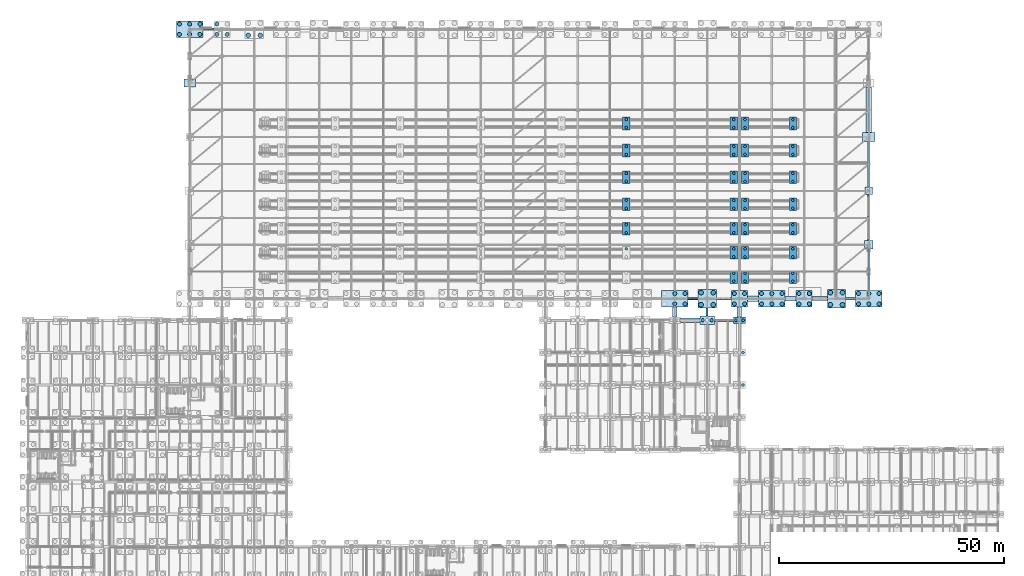
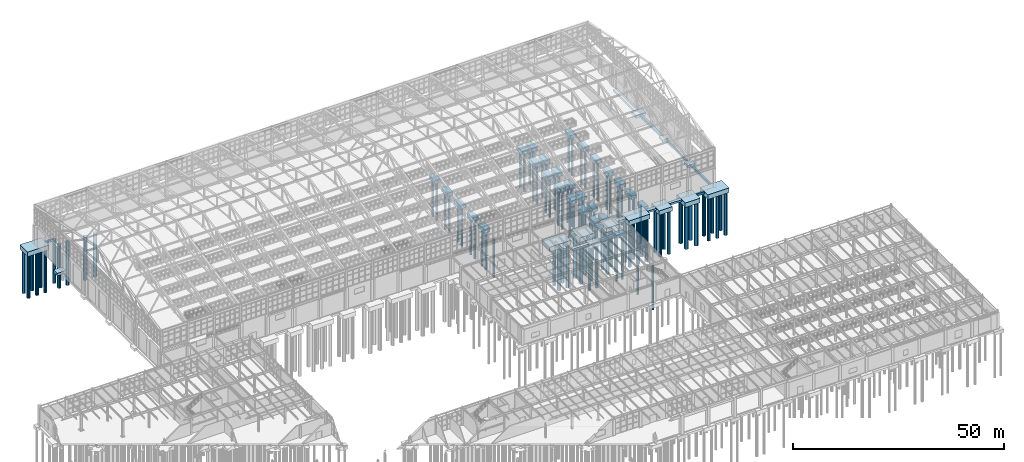
# One storey, part 13 of 293: 102 piles, 56 footings.
"""IFC4 building model written with IfcOpenShell, lengths in metres."""

from ifc_helpers import new_model, si_unit, direction, frame, origin, origin_2d, place, context, subcontext, project, spatial, rectangle, circle, extrude, material, material_profile, profile_set, type_object, element, save


model = new_model("IFC4")

# Units and contexts
model_context = context("Model", 3, precision=1e-05, world=origin(), true_north=direction((0.0, 1.0)))
body_context = subcontext(model_context, "Body", "Model", "MODEL_VIEW")
ifc_project = project(units=[si_unit("LENGTHUNIT", "METRE"), si_unit("AREAUNIT", "SQUARE_METRE"), si_unit("VOLUMEUNIT", "CUBIC_METRE"), si_unit("PLANEANGLEUNIT", "RADIAN"), si_unit("MASSUNIT", "GRAM", prefix="KILO")], contexts=[model_context])

# Site, building, storey
site_placement = place(None, origin())
site = spatial("IfcSite", under=ifc_project, at=site_placement, CompositionType="ELEMENT")
building_placement = place(site_placement, origin())
building = spatial("IfcBuilding", under=site, at=building_placement, Name="Kemerveld Promenade Tramway Depot", CompositionType="ELEMENT")
storey_placement = place(building_placement, origin())
storey = spatial("IfcBuildingStorey", under=building, at=storey_placement, Name="L00", CompositionType="ELEMENT", Elevation=0.0)

# Footings
ifc_material = material(Name="Concrete C35/45", Category="concrete")
footing_type_1 = type_object("IfcFootingType", Name="FT-GB01", PredefinedType="FOOTING_BEAM", material=ifc_material)
footing_1_placement = place(storey_placement, frame((154.949951171875, 79.199951171875, -0.949951171875), z_axis=(0.0, 0.0, 1.0), x_axis=(1.0, 0.0, 0.0)))
element("IfcFooting", 1, at=footing_1_placement, inside=storey, type_object=footing_type_1, Name="GBX-22-23-M", PredefinedType="FOOTING_BEAM", context=body_context, shape_type="SweptSolid", body=[
    extrude(rectangle(XDim=4.300048828125, YDim=0.5, at=origin_2d()), origin(), (0.0, 0.0, 1.0), 0.64990234375),
])
footing_2_placement = place(storey_placement, frame((183.16259765625, 84.0, -0.949951171875), z_axis=(0.0, 0.0, 1.0), x_axis=(1.0, 0.0, 0.0)))
element("IfcFooting", 2, at=footing_2_placement, inside=storey, type_object=footing_type_1, Name="GBX-26-27-N", PredefinedType="FOOTING_BEAM", context=body_context, shape_type="SweptSolid", body=[
    extrude(rectangle(XDim=2.22509765625, YDim=0.5, at=origin_2d()), origin(), (0.0, 0.0, 1.0), 0.64990234375),
])
footing_3_placement = place(storey_placement, frame((151.199951171875, 81.02490234375, -0.949951171875), z_axis=(0.0, 0.0, 1.0), x_axis=(0.0, 1.0, 0.0)))
element("IfcFooting", 3, at=footing_3_placement, inside=storey, type_object=footing_type_1, Name="GBY-22-M-N", PredefinedType="FOOTING_BEAM", context=body_context, shape_type="SweptSolid", body=[
    extrude(rectangle(XDim=1.85009765625, YDim=0.5, at=origin_2d()), origin(), (0.0, 0.0, 1.0), 0.64990234375),
])
footing_type_2 = type_object("IfcFootingType", Name="FT-GB02", PredefinedType="FOOTING_BEAM", material=ifc_material)
footing_4_placement = place(storey_placement, frame((40.16259765625, 144.0, -0.900146484375), z_axis=(0.0, 0.0, 1.0), x_axis=(1.0, 0.0, 0.0)))
element("IfcFooting", 4, at=footing_4_placement, inside=storey, type_object=footing_type_2, Name="GBX-06-07-U", PredefinedType="FOOTING_BEAM", context=body_context, shape_type="SweptSolid", body=[
    extrude(rectangle(XDim=2.47509765625, YDim=0.449951171875, at=origin_2d()), origin(), (0.0, 0.0, 1.0), 0.60009765625),
])
footing_5_placement = place(storey_placement, frame((187.199951171875, 90.425048828125, -0.900146484375), z_axis=(0.0, 0.0, 1.0), x_axis=(0.0, 1.0, 0.0)))
element("IfcFooting", 5, at=footing_5_placement, inside=storey, type_object=footing_type_2, Name="GBY-27-N-P", PredefinedType="FOOTING_BEAM", context=body_context, shape_type="SweptSolid", body=[
    extrude(rectangle(XDim=9.25, YDim=0.449951171875, at=origin_2d()), origin(), (0.0, 0.0, 1.0), 0.60009765625),
])
footing_type_3 = type_object("IfcFootingType", Name="FT-GB03", PredefinedType="FOOTING_BEAM", material=ifc_material)
footing_6_placement = place(storey_placement, frame((148.03759765625, 84.0, -0.85009765625), z_axis=(0.0, 0.0, 1.0), x_axis=(1.0, 0.0, 0.0)))
element("IfcFooting", 6, at=footing_6_placement, inside=storey, type_object=footing_type_3, Name="GBX-21-22-N", PredefinedType="FOOTING_BEAM", context=body_context, shape_type="SweptSolid", body=[
    extrude(rectangle(XDim=2.22509765625, YDim=0.39990234375, at=origin_2d()), origin(), (0.0, 0.0, 1.0), 0.550048828125),
])
footing_7_placement = place(storey_placement, frame((187.199951171875, 102.050048828125, -0.85009765625), z_axis=(0.0, 0.0, 1.0), x_axis=(0.0, 1.0, 0.0)))
element("IfcFooting", 7, at=footing_7_placement, inside=storey, type_object=footing_type_3, Name="GBY-27-P-Q", PredefinedType="FOOTING_BEAM", context=body_context, shape_type="SweptSolid", body=[
    extrude(rectangle(XDim=10.199951171875, YDim=0.39990234375, at=origin_2d()), origin(), (0.0, 0.0, 1.0), 0.550048828125),
])
footing_type_4 = type_object("IfcFootingType", Name="FT-GB04", PredefinedType="FOOTING_BEAM", material=ifc_material)
footing_8_placement = place(storey_placement, frame((154.925048828125, 84.0, -1.0), z_axis=(0.0, 0.0, 1.0), x_axis=(1.0, 0.0, 0.0)))
element("IfcFooting", 8, at=footing_8_placement, inside=storey, type_object=footing_type_4, Name="GBX-22-23-N", PredefinedType="FOOTING_BEAM", context=body_context, shape_type="SweptSolid", body=[
    extrude(rectangle(XDim=3.35009765625, YDim=0.550048828125, at=origin_2d()), origin(), (0.0, 0.0, 1.0), 0.699951171875),
])
footing_9_placement = place(storey_placement, frame((187.199951171875, 113.925048828125, -1.0), z_axis=(0.0, 0.0, 1.0), x_axis=(0.0, 1.0, 0.0)))
element("IfcFooting", 9, at=footing_9_placement, inside=storey, type_object=footing_type_4, Name="GBY-27-Q-R", PredefinedType="FOOTING_BEAM", context=body_context, shape_type="SweptSolid", body=[
    extrude(rectangle(XDim=10.14990234375, YDim=0.550048828125, at=origin_2d()), origin(), (0.0, 0.0, 1.0), 0.699951171875),
])
footing_type_5 = type_object("IfcFootingType", Name="FT-PC01", PredefinedType="PILE_CAP", material=ifc_material)
for number, where, z_axis, x_axis, name in (
    (10, (151.199951171875, 84.0, -1.60009765625), (0.0, 0.0, 1.0), (1.0, 0.0, 0.0), "FT-22-N"),
    (11, (180.0, 84.0, -1.60009765625), (0.0, 0.0, 1.0), (1.0, 0.0, 0.0), "FT-26-N"),
):
    element("IfcFooting", number, at=place(storey_placement, frame(where, z_axis=z_axis, x_axis=x_axis)), inside=storey, type_object=footing_type_5, Name=name, PredefinedType="PILE_CAP", context=body_context, shape_type="SweptSolid", body=[
        extrude(rectangle(XDim=4.10009765625, YDim=4.10009765625, at=origin_2d()), origin(), (0.0, 0.0, 1.0), 1.300048828125),
    ])
footing_type_6 = type_object("IfcFootingType", Name="FT-PC02", PredefinedType="PILE_CAP", material=ifc_material)
for number, where, z_axis, x_axis, name in (
    (12, (158.39990234375, 84.0, -1.550048828125), (0.0, 0.0, 1.0), (1.0, 0.0, 0.0), "FT-23-N"),
    (13, (172.800048828125, 84.0, -1.550048828125), (0.0, 0.0, 1.0), (1.0, 0.0, 0.0), "FT-25-N"),
):
    element("IfcFooting", number, at=place(storey_placement, frame(where, z_axis=z_axis, x_axis=x_axis)), inside=storey, type_object=footing_type_6, Name=name, PredefinedType="PILE_CAP", context=body_context, shape_type="SweptSolid", body=[
        extrude(rectangle(XDim=3.60009765625, YDim=3.60009765625, at=origin_2d()), origin(), (0.0, 0.0, 1.0), 1.25),
    ])
footing_type_7 = type_object("IfcFootingType", Name="FT-PC06", PredefinedType="PILE_CAP", material=ifc_material)
footing_10_placement = place(storey_placement, frame((151.199951171875, 79.199951171875, -1.400146484375), z_axis=(0.0, 0.0, 1.0), x_axis=(1.0, 0.0, 0.0)))
element("IfcFooting", 14, at=footing_10_placement, inside=storey, type_object=footing_type_7, Name="FT-22-M", PredefinedType="PILE_CAP", context=body_context, shape_type="SweptSolid", body=[
    extrude(rectangle(XDim=3.199951171875, YDim=1.800048828125, at=origin_2d()), origin(), (0.0, 0.0, 1.0), 1.10009765625),
])
footing_type_8 = type_object("IfcFootingType", Name="FT-PC07", PredefinedType="PILE_CAP", material=ifc_material)
for number, where, z_axis, x_axis, name in (
    (15, (157.14990234375, 88.800048828125, -3.0), (0.0, 0.0, 1.0), (1.0, 0.0, 0.0), "FT-PIT-01-08"),
    (16, (159.64990234375, 88.800048828125, -3.0), (0.0, 0.0, 1.0), (1.0, 0.0, 0.0), "FT-PIT-01-09"),
    (17, (170.300048828125, 88.800048828125, -3.0), (0.0, 0.0, 1.0), (1.0, 0.0, 0.0), "FT-PIT-01-10"),
    (18, (157.14990234375, 94.199951171875, -3.0), (0.0, 0.0, 1.0), (1.0, 0.0, 0.0), "FT-PIT-02-08"),
    (19, (159.64990234375, 94.199951171875, -3.0), (0.0, 0.0, 1.0), (1.0, 0.0, 0.0), "FT-PIT-02-09"),
    (20, (170.300048828125, 94.199951171875, -3.0), (0.0, 0.0, 1.0), (1.0, 0.0, 0.0), "FT-PIT-02-10"),
    (21, (133.199951171875, 99.60009765625, -3.0), (0.0, 0.0, 1.0), (1.0, 0.0, 0.0), "FT-PIT-03-07"),
    (22, (157.14990234375, 99.60009765625, -3.0), (0.0, 0.0, 1.0), (1.0, 0.0, 0.0), "FT-PIT-03-08"),
    (23, (159.64990234375, 99.60009765625, -3.0), (0.0, 0.0, 1.0), (1.0, 0.0, 0.0), "FT-PIT-03-09"),
    (24, (170.300048828125, 99.60009765625, -3.0), (0.0, 0.0, 1.0), (1.0, 0.0, 0.0), "FT-PIT-03-10"),
    (25, (133.199951171875, 105.0, -3.0), (0.0, 0.0, 1.0), (1.0, 0.0, 0.0), "FT-PIT-04-07"),
    (26, (157.14990234375, 105.0, -3.0), (0.0, 0.0, 1.0), (1.0, 0.0, 0.0), "FT-PIT-04-08"),
    (27, (159.64990234375, 105.0, -3.0), (0.0, 0.0, 1.0), (1.0, 0.0, 0.0), "FT-PIT-04-09"),
    (28, (170.300048828125, 105.0, -3.0), (0.0, 0.0, 1.0), (1.0, 0.0, 0.0), "FT-PIT-04-10"),
    (29, (133.199951171875, 111.0, -3.0), (0.0, 0.0, 1.0), (1.0, 0.0, 0.0), "FT-PIT-05-07"),
    (30, (157.14990234375, 111.0, -3.0), (0.0, 0.0, 1.0), (1.0, 0.0, 0.0), "FT-PIT-05-08"),
    (31, (159.64990234375, 111.0, -3.0), (0.0, 0.0, 1.0), (1.0, 0.0, 0.0), "FT-PIT-05-09"),
    (32, (170.300048828125, 111.0, -3.0), (0.0, 0.0, 1.0), (1.0, 0.0, 0.0), "FT-PIT-05-10"),
    (33, (133.199951171875, 117.0, -3.0), (0.0, 0.0, 1.0), (1.0, 0.0, 0.0), "FT-PIT-06-07"),
    (34, (157.14990234375, 117.0, -3.0), (0.0, 0.0, 1.0), (1.0, 0.0, 0.0), "FT-PIT-06-08"),
    (35, (159.64990234375, 117.0, -3.0), (0.0, 0.0, 1.0), (1.0, 0.0, 0.0), "FT-PIT-06-09"),
    (36, (170.300048828125, 117.0, -3.0), (0.0, 0.0, 1.0), (1.0, 0.0, 0.0), "FT-PIT-06-10"),
    (37, (133.199951171875, 123.0, -3.0), (0.0, 0.0, 1.0), (1.0, 0.0, 0.0), "FT-PIT-07-07"),
    (38, (157.14990234375, 123.0, -3.0), (0.0, 0.0, 1.0), (1.0, 0.0, 0.0), "FT-PIT-07-08"),
    (39, (159.64990234375, 123.0, -3.0), (0.0, 0.0, 1.0), (1.0, 0.0, 0.0), "FT-PIT-07-09"),
    (40, (170.300048828125, 123.0, -3.0), (0.0, 0.0, 1.0), (1.0, 0.0, 0.0), "FT-PIT-07-10"),
):
    element("IfcFooting", number, at=place(storey_placement, frame(where, z_axis=z_axis, x_axis=x_axis)), inside=storey, type_object=footing_type_8, Name=name, PredefinedType="PILE_CAP", context=body_context, shape_type="SweptSolid", body=[
        extrude(rectangle(XDim=1.60009765625, YDim=2.800048828125, at=origin_2d()), origin(), (0.0, 0.0, 1.0), 1.050048828125),
    ])
footing_type_9 = type_object("IfcFootingType", Name="FT-PC08", PredefinedType="PILE_CAP", material=ifc_material)
footing_11_placement = place(storey_placement, frame((158.39990234375, 79.199951171875, -1.300048828125), z_axis=(0.0, 0.0, 1.0), x_axis=(1.0, 0.0, 0.0)))
element("IfcFooting", 41, at=footing_11_placement, inside=storey, type_object=footing_type_9, Name="FT-23-M", PredefinedType="PILE_CAP", context=body_context, shape_type="SweptSolid", body=[
    extrude(rectangle(XDim=2.60009765625, YDim=1.5, at=origin_2d()), origin(), (0.0, 0.0, 1.0), 1.0),
])
footing_type_10 = type_object("IfcFootingType", Name="FT-PC09", PredefinedType="PILE_CAP", material=ifc_material)
for number, where, z_axis, x_axis, name in (
    (42, (36.0, 144.0, -1.650146484375), (0.0, 0.0, 1.0), (1.0, 0.0, 0.0), "FT-06-U"),
    (43, (144.0, 84.0, -1.650146484375), (0.0, 0.0, 1.0), (1.0, 0.0, 0.0), "FT-21-N"),
    (44, (165.60009765625, 84.0, -1.650146484375), (0.0, 0.0, 1.0), (1.0, 0.0, 0.0), "FT-24-N"),
    (45, (187.199951171875, 84.0, -1.650146484375), (0.0, 0.0, 1.0), (1.0, 0.0, 0.0), "FT-27-N"),
):
    element("IfcFooting", number, at=place(storey_placement, frame(where, z_axis=z_axis, x_axis=x_axis)), inside=storey, type_object=footing_type_10, Name=name, PredefinedType="PILE_CAP", context=body_context, shape_type="SweptSolid", body=[
        extrude(rectangle(XDim=5.85009765625, YDim=3.60009765625, at=origin_2d()), origin(), (0.0, 0.0, 1.0), 1.35009765625),
    ])
footing_type_11 = type_object("IfcFootingType", Name="FT-PD06", PredefinedType="PAD_FOOTING", material=ifc_material)
footing_12_placement = place(storey_placement, frame((36.0, 132.0, -1.050048828125), z_axis=(0.0, 0.0, 1.0), x_axis=(1.0, 0.0, 0.0)))
element("IfcFooting", 46, at=footing_12_placement, inside=storey, type_object=footing_type_11, Name="FT-06-S", PredefinedType="PAD_FOOTING", context=body_context, shape_type="SweptSolid", body=[
    extrude(rectangle(XDim=2.5, YDim=1.800048828125, at=origin_2d()), origin(), (0.0, 0.0, 1.0), 0.75),
])
footing_type_12 = type_object("IfcFootingType", Name="FT-PD10", PredefinedType="PAD_FOOTING", material=ifc_material)
footing_13_placement = place(storey_placement, frame((187.199951171875, 96.0, -1.02001953125), z_axis=(0.0, 0.0, 1.0), x_axis=(1.0, 0.0, 0.0)))
element("IfcFooting", 47, at=footing_13_placement, inside=storey, type_object=footing_type_12, Name="FT-27-P", PredefinedType="PAD_FOOTING", context=body_context, shape_type="SweptSolid", body=[
    extrude(rectangle(XDim=1.89990234375, YDim=1.89990234375, at=origin_2d()), origin(), (0.0, 0.0, 1.0), 0.719970703125),
])
footing_type_13 = type_object("IfcFootingType", Name="FT-PD11", PredefinedType="PAD_FOOTING", material=ifc_material)
footing_14_placement = place(storey_placement, frame((187.199951171875, 108.0, -0.97998046875), z_axis=(0.0, 0.0, 1.0), x_axis=(1.0, 0.0, 0.0)))
element("IfcFooting", 48, at=footing_14_placement, inside=storey, type_object=footing_type_13, Name="FT-27-Q", PredefinedType="PAD_FOOTING", context=body_context, shape_type="SweptSolid", body=[
    extrude(rectangle(XDim=1.699951171875, YDim=1.699951171875, at=origin_2d()), origin(), (0.0, 0.0, 1.0), 0.679931640625),
])
footing_type_14 = type_object("IfcFootingType", Name="FT-PD12", PredefinedType="PAD_FOOTING", material=ifc_material)
footing_15_placement = place(storey_placement, frame((187.199951171875, 120.0, -1.150146484375), z_axis=(0.0, 0.0, 1.0), x_axis=(1.0, 0.0, 0.0)))
element("IfcFooting", 49, at=footing_15_placement, inside=storey, type_object=footing_type_14, Name="FT-27-R", PredefinedType="PAD_FOOTING", context=body_context, shape_type="SweptSolid", body=[
    extrude(rectangle(XDim=2.699951171875, YDim=2.0, at=origin_2d()), origin(), (0.0, 0.0, 1.0), 0.85009765625),
])
footing_type_15 = type_object("IfcFootingType", Name="FT-SF01", PredefinedType="STRIP_FOOTING", material=ifc_material)
footing_16_placement = place(storey_placement, frame((161.4375, 84.0, -0.900146484375), z_axis=(0.0, 0.0, 1.0), x_axis=(1.0, 0.0, 0.0)))
element("IfcFooting", 50, at=footing_16_placement, inside=storey, type_object=footing_type_15, Name="GBX-23-24-N", PredefinedType="STRIP_FOOTING", context=body_context, shape_type="SweptSolid", body=[
    extrude(rectangle(XDim=2.47509765625, YDim=1.199951171875, at=origin_2d()), origin(), (0.0, 0.0, 1.0), 0.60009765625),
])
footing_17_placement = place(storey_placement, frame((187.199951171875, 126.0625, -0.900146484375), z_axis=(0.0, 0.0, 1.0), x_axis=(0.0, 1.0, 0.0)))
element("IfcFooting", 51, at=footing_17_placement, inside=storey, type_object=footing_type_15, Name="GBY-27-R-S", PredefinedType="STRIP_FOOTING", context=body_context, shape_type="SweptSolid", body=[
    extrude(rectangle(XDim=10.125, YDim=1.199951171875, at=origin_2d()), origin(), (0.0, 0.0, 1.0), 0.60009765625),
])
footing_type_16 = type_object("IfcFootingType", Name="FT-SF02", PredefinedType="STRIP_FOOTING", material=ifc_material)
footing_18_placement = place(storey_placement, frame((169.762451171875, 84.0, -0.85009765625), z_axis=(0.0, 0.0, 1.0), x_axis=(1.0, 0.0, 0.0)))
element("IfcFooting", 52, at=footing_18_placement, inside=storey, type_object=footing_type_16, Name="GBX-24-25-N", PredefinedType="STRIP_FOOTING", context=body_context, shape_type="SweptSolid", body=[
    extrude(rectangle(XDim=2.47509765625, YDim=1.0, at=origin_2d()), origin(), (0.0, 0.0, 1.0), 0.550048828125),
])
for number, where, z_axis, x_axis, name in (
    (53, (144.0, 81.074951171875, -0.85009765625), (0.0, 0.0, 1.0), (0.0, 1.0, 0.0), "GBY-21-M-N"),
    (54, (158.39990234375, 81.074951171875, -0.85009765625), (0.0, 0.0, 1.0), (0.0, 1.0, 0.0), "GBY-23-M-N"),
):
    element("IfcFooting", number, at=place(storey_placement, frame(where, z_axis=z_axis, x_axis=x_axis)), inside=storey, type_object=footing_type_16, Name=name, PredefinedType="STRIP_FOOTING", context=body_context, shape_type="SweptSolid", body=[
        extrude(rectangle(XDim=2.25, YDim=1.0, at=origin_2d()), origin(), (0.0, 0.0, 1.0), 0.550048828125),
    ])
footing_type_17 = type_object("IfcFootingType", Name="FT-SF03", PredefinedType="STRIP_FOOTING", material=ifc_material)
footing_19_placement = place(storey_placement, frame((147.449951171875, 79.199951171875, -0.800048828125), z_axis=(0.0, 0.0, 1.0), x_axis=(1.0, 0.0, 0.0)))
element("IfcFooting", 55, at=footing_19_placement, inside=storey, type_object=footing_type_17, Name="GBX-21-22-M", PredefinedType="STRIP_FOOTING", context=body_context, shape_type="SweptSolid", body=[
    extrude(rectangle(XDim=4.300048828125, YDim=0.89990234375, at=origin_2d()), origin(), (0.0, 0.0, 1.0), 0.5),
])
footing_20_placement = place(storey_placement, frame((176.27490234375, 84.0, -0.800048828125), z_axis=(0.0, 0.0, 1.0), x_axis=(1.0, 0.0, 0.0)))
element("IfcFooting", 56, at=footing_20_placement, inside=storey, type_object=footing_type_17, Name="GBX-25-26-N", PredefinedType="STRIP_FOOTING", context=body_context, shape_type="SweptSolid", body=[
    extrude(rectangle(XDim=3.35009765625, YDim=0.89990234375, at=origin_2d()), origin(), (0.0, 0.0, 1.0), 0.5),
])

# Piles
ifc_material_profile_1 = material_profile(ifc_material, circle(Radius=0.52490234375, at=origin_2d()), Name="PILE-D1050")
ifc_profile_set_1 = profile_set([ifc_material_profile_1], Name="Concrete C35/45")
pile_type_1 = type_object("IfcPileType", Name="PL-BOR-1050", PredefinedType="BORED", material=ifc_profile_set_1)
for number, where, z_axis, x_axis, name in (
    (57, (49.050048828125, 142.64990234375, -1.5), (0.0, 0.0, -1.0), (1.0, 0.0, 0.0), "PIL-08-U-1"),
    (58, (51.75, 142.64990234375, -1.5), (0.0, 0.0, -1.0), (1.0, 0.0, 0.0), "PIL-08-U-2"),
    (59, (149.85009765625, 82.64990234375, -1.5), (0.0, 0.0, -1.0), (1.0, 0.0, 0.0), "PIL-22-N-1"),
    (60, (152.550048828125, 82.64990234375, -1.5), (0.0, 0.0, -1.0), (1.0, 0.0, 0.0), "PIL-22-N-2"),
    (61, (149.85009765625, 85.35009765625, -1.5), (0.0, 0.0, -1.0), (1.0, 0.0, 0.0), "PIL-22-N-3"),
    (62, (152.550048828125, 85.35009765625, -1.5), (0.0, 0.0, -1.0), (1.0, 0.0, 0.0), "PIL-22-N-4"),
    (63, (178.64990234375, 82.64990234375, -1.5), (0.0, 0.0, -1.0), (1.0, 0.0, 0.0), "PIL-26-N-1"),
    (64, (181.35009765625, 82.64990234375, -1.5), (0.0, 0.0, -1.0), (1.0, 0.0, 0.0), "PIL-26-N-2"),
    (65, (178.64990234375, 85.35009765625, -1.5), (0.0, 0.0, -1.0), (1.0, 0.0, 0.0), "PIL-26-N-3"),
    (66, (181.35009765625, 85.35009765625, -1.5), (0.0, 0.0, -1.0), (1.0, 0.0, 0.0), "PIL-26-N-4"),
):
    element("IfcPile", number, at=place(storey_placement, frame(where, z_axis=z_axis, x_axis=x_axis)), inside=storey, type_object=pile_type_1, Name=name, PredefinedType="BORED", context=body_context, shape_type="SweptSolid", body=[
        extrude(circle(Radius=0.52490234375, at=origin_2d()), origin(), (0.0, 0.0, 1.0), 12.5),
    ])
ifc_material_profile_2 = material_profile(ifc_material, circle(Radius=0.300048828125, at=origin_2d()), Name="PILE-D600")
ifc_profile_set_2 = profile_set([ifc_material_profile_2], Name="Concrete C35/45")
pile_type_2 = type_object("IfcPileType", Name="PL-BOR-600", PredefinedType="BORED", material=ifc_profile_set_2)
for number, where, z_axis, x_axis, name in (
    (67, (157.14990234375, 87.89990234375, -2.89990234375), (0.0, 0.0, -1.0), (1.0, 0.0, 0.0), "PIL-PIT-01-08-1"),
    (68, (157.14990234375, 89.699951171875, -2.89990234375), (0.0, 0.0, -1.0), (1.0, 0.0, 0.0), "PIL-PIT-01-08-2"),
    (69, (159.64990234375, 87.89990234375, -2.89990234375), (0.0, 0.0, -1.0), (1.0, 0.0, 0.0), "PIL-PIT-01-09-1"),
    (70, (159.64990234375, 89.699951171875, -2.89990234375), (0.0, 0.0, -1.0), (1.0, 0.0, 0.0), "PIL-PIT-01-09-2"),
    (71, (170.300048828125, 87.89990234375, -2.89990234375), (0.0, 0.0, -1.0), (1.0, 0.0, 0.0), "PIL-PIT-01-10-1"),
    (72, (170.300048828125, 89.699951171875, -2.89990234375), (0.0, 0.0, -1.0), (1.0, 0.0, 0.0), "PIL-PIT-01-10-2"),
    (73, (133.199951171875, 95.10009765625, -2.89990234375), (0.0, 0.0, -1.0), (1.0, 0.0, 0.0), "PIL-PIT-02-07-2"),
    (74, (157.14990234375, 93.300048828125, -2.89990234375), (0.0, 0.0, -1.0), (1.0, 0.0, 0.0), "PIL-PIT-02-08-1"),
    (75, (157.14990234375, 95.10009765625, -2.89990234375), (0.0, 0.0, -1.0), (1.0, 0.0, 0.0), "PIL-PIT-02-08-2"),
    (76, (159.64990234375, 93.300048828125, -2.89990234375), (0.0, 0.0, -1.0), (1.0, 0.0, 0.0), "PIL-PIT-02-09-1"),
    (77, (159.64990234375, 95.10009765625, -2.89990234375), (0.0, 0.0, -1.0), (1.0, 0.0, 0.0), "PIL-PIT-02-09-2"),
    (78, (170.300048828125, 93.300048828125, -2.89990234375), (0.0, 0.0, -1.0), (1.0, 0.0, 0.0), "PIL-PIT-02-10-1"),
    (79, (170.300048828125, 95.10009765625, -2.89990234375), (0.0, 0.0, -1.0), (1.0, 0.0, 0.0), "PIL-PIT-02-10-2"),
    (80, (133.199951171875, 98.699951171875, -2.89990234375), (0.0, 0.0, -1.0), (1.0, 0.0, 0.0), "PIL-PIT-03-07-1"),
    (81, (133.199951171875, 100.5, -2.89990234375), (0.0, 0.0, -1.0), (1.0, 0.0, 0.0), "PIL-PIT-03-07-2"),
    (82, (157.14990234375, 98.699951171875, -2.89990234375), (0.0, 0.0, -1.0), (1.0, 0.0, 0.0), "PIL-PIT-03-08-1"),
    (83, (157.14990234375, 100.5, -2.89990234375), (0.0, 0.0, -1.0), (1.0, 0.0, 0.0), "PIL-PIT-03-08-2"),
    (84, (159.64990234375, 98.699951171875, -2.89990234375), (0.0, 0.0, -1.0), (1.0, 0.0, 0.0), "PIL-PIT-03-09-1"),
    (85, (159.64990234375, 100.5, -2.89990234375), (0.0, 0.0, -1.0), (1.0, 0.0, 0.0), "PIL-PIT-03-09-2"),
    (86, (170.300048828125, 98.699951171875, -2.89990234375), (0.0, 0.0, -1.0), (1.0, 0.0, 0.0), "PIL-PIT-03-10-1"),
    (87, (170.300048828125, 100.5, -2.89990234375), (0.0, 0.0, -1.0), (1.0, 0.0, 0.0), "PIL-PIT-03-10-2"),
    (88, (133.199951171875, 104.10009765625, -2.89990234375), (0.0, 0.0, -1.0), (1.0, 0.0, 0.0), "PIL-PIT-04-07-1"),
    (89, (133.199951171875, 105.89990234375, -2.89990234375), (0.0, 0.0, -1.0), (1.0, 0.0, 0.0), "PIL-PIT-04-07-2"),
    (90, (157.14990234375, 104.10009765625, -2.89990234375), (0.0, 0.0, -1.0), (1.0, 0.0, 0.0), "PIL-PIT-04-08-1"),
    (91, (157.14990234375, 105.89990234375, -2.89990234375), (0.0, 0.0, -1.0), (1.0, 0.0, 0.0), "PIL-PIT-04-08-2"),
    (92, (159.64990234375, 104.10009765625, -2.89990234375), (0.0, 0.0, -1.0), (1.0, 0.0, 0.0), "PIL-PIT-04-09-1"),
    (93, (159.64990234375, 105.89990234375, -2.89990234375), (0.0, 0.0, -1.0), (1.0, 0.0, 0.0), "PIL-PIT-04-09-2"),
    (94, (170.300048828125, 104.10009765625, -2.89990234375), (0.0, 0.0, -1.0), (1.0, 0.0, 0.0), "PIL-PIT-04-10-1"),
    (95, (170.300048828125, 105.89990234375, -2.89990234375), (0.0, 0.0, -1.0), (1.0, 0.0, 0.0), "PIL-PIT-04-10-2"),
    (96, (133.199951171875, 110.10009765625, -2.89990234375), (0.0, 0.0, -1.0), (1.0, 0.0, 0.0), "PIL-PIT-05-07-1"),
    (97, (133.199951171875, 111.89990234375, -2.89990234375), (0.0, 0.0, -1.0), (1.0, 0.0, 0.0), "PIL-PIT-05-07-2"),
    (98, (157.14990234375, 110.10009765625, -2.89990234375), (0.0, 0.0, -1.0), (1.0, 0.0, 0.0), "PIL-PIT-05-08-1"),
    (99, (157.14990234375, 111.89990234375, -2.89990234375), (0.0, 0.0, -1.0), (1.0, 0.0, 0.0), "PIL-PIT-05-08-2"),
    (100, (159.64990234375, 110.10009765625, -2.89990234375), (0.0, 0.0, -1.0), (1.0, 0.0, 0.0), "PIL-PIT-05-09-1"),
    (101, (159.64990234375, 111.89990234375, -2.89990234375), (0.0, 0.0, -1.0), (1.0, 0.0, 0.0), "PIL-PIT-05-09-2"),
    (102, (170.300048828125, 110.10009765625, -2.89990234375), (0.0, 0.0, -1.0), (1.0, 0.0, 0.0), "PIL-PIT-05-10-1"),
    (103, (170.300048828125, 111.89990234375, -2.89990234375), (0.0, 0.0, -1.0), (1.0, 0.0, 0.0), "PIL-PIT-05-10-2"),
    (104, (133.199951171875, 116.10009765625, -2.89990234375), (0.0, 0.0, -1.0), (1.0, 0.0, 0.0), "PIL-PIT-06-07-1"),
    (105, (133.199951171875, 117.89990234375, -2.89990234375), (0.0, 0.0, -1.0), (1.0, 0.0, 0.0), "PIL-PIT-06-07-2"),
    (106, (157.14990234375, 116.10009765625, -2.89990234375), (0.0, 0.0, -1.0), (1.0, 0.0, 0.0), "PIL-PIT-06-08-1"),
    (107, (157.14990234375, 117.89990234375, -2.89990234375), (0.0, 0.0, -1.0), (1.0, 0.0, 0.0), "PIL-PIT-06-08-2"),
    (108, (159.64990234375, 116.10009765625, -2.89990234375), (0.0, 0.0, -1.0), (1.0, 0.0, 0.0), "PIL-PIT-06-09-1"),
    (109, (159.64990234375, 117.89990234375, -2.89990234375), (0.0, 0.0, -1.0), (1.0, 0.0, 0.0), "PIL-PIT-06-09-2"),
    (110, (170.300048828125, 116.10009765625, -2.89990234375), (0.0, 0.0, -1.0), (1.0, 0.0, 0.0), "PIL-PIT-06-10-1"),
    (111, (170.300048828125, 117.89990234375, -2.89990234375), (0.0, 0.0, -1.0), (1.0, 0.0, 0.0), "PIL-PIT-06-10-2"),
    (112, (133.199951171875, 122.10009765625, -2.89990234375), (0.0, 0.0, -1.0), (1.0, 0.0, 0.0), "PIL-PIT-07-07-1"),
    (113, (133.199951171875, 123.89990234375, -2.89990234375), (0.0, 0.0, -1.0), (1.0, 0.0, 0.0), "PIL-PIT-07-07-2"),
    (114, (157.14990234375, 122.10009765625, -2.89990234375), (0.0, 0.0, -1.0), (1.0, 0.0, 0.0), "PIL-PIT-07-08-1"),
    (115, (157.14990234375, 123.89990234375, -2.89990234375), (0.0, 0.0, -1.0), (1.0, 0.0, 0.0), "PIL-PIT-07-08-2"),
    (116, (159.64990234375, 122.10009765625, -2.89990234375), (0.0, 0.0, -1.0), (1.0, 0.0, 0.0), "PIL-PIT-07-09-1"),
    (117, (159.64990234375, 123.89990234375, -2.89990234375), (0.0, 0.0, -1.0), (1.0, 0.0, 0.0), "PIL-PIT-07-09-2"),
    (118, (170.300048828125, 122.10009765625, -2.89990234375), (0.0, 0.0, -1.0), (1.0, 0.0, 0.0), "PIL-PIT-07-10-1"),
    (119, (170.300048828125, 123.89990234375, -2.89990234375), (0.0, 0.0, -1.0), (1.0, 0.0, 0.0), "PIL-PIT-07-10-2"),
):
    element("IfcPile", number, at=place(storey_placement, frame(where, z_axis=z_axis, x_axis=x_axis)), inside=storey, type_object=pile_type_2, Name=name, PredefinedType="BORED", context=body_context, shape_type="SweptSolid", body=[
        extrude(circle(Radius=0.300048828125, at=origin_2d()), origin(), (0.0, 0.0, 1.0), 11.10009765625),
    ])
for number, where, z_axis, x_axis, name in (
    (120, (159.199951171875, 64.800048828125, -1.199951171875), (0.0, 0.0, -1.0), (1.0, 0.0, 0.0), "PIL-23-K-2"),
    (121, (159.199951171875, 72.0, -1.199951171875), (0.0, 0.0, -1.0), (1.0, 0.0, 0.0), "PIL-23-L-2"),
    (122, (157.60009765625, 79.199951171875, -1.199951171875), (0.0, 0.0, -1.0), (1.0, 0.0, 0.0), "PIL-23-M-1"),
    (123, (159.199951171875, 79.199951171875, -1.199951171875), (0.0, 0.0, -1.0), (1.0, 0.0, 0.0), "PIL-23-M-2"),
):
    element("IfcPile", number, at=place(storey_placement, frame(where, z_axis=z_axis, x_axis=x_axis)), inside=storey, type_object=pile_type_2, Name=name, PredefinedType="BORED", context=body_context, shape_type="SweptSolid", body=[
        extrude(circle(Radius=0.300048828125, at=origin_2d()), origin(), (0.0, 0.0, 1.0), 12.800048828125),
    ])
ifc_material_profile_3 = material_profile(ifc_material, circle(Radius=0.375, at=origin_2d()), Name="PILE-D750")
ifc_profile_set_3 = profile_set([ifc_material_profile_3], Name="Concrete C35/45")
pile_type_3 = type_object("IfcPileType", Name="PL-BOR-750", PredefinedType="BORED", material=ifc_profile_set_3)
for number, where, z_axis, x_axis, name in (
    (124, (150.199951171875, 79.199951171875, -1.300048828125), (0.0, 0.0, -1.0), (1.0, 0.0, 0.0), "PIL-22-M-1"),
    (125, (152.199951171875, 79.199951171875, -1.300048828125), (0.0, 0.0, -1.0), (1.0, 0.0, 0.0), "PIL-22-M-2"),
):
    element("IfcPile", number, at=place(storey_placement, frame(where, z_axis=z_axis, x_axis=x_axis)), inside=storey, type_object=pile_type_3, Name=name, PredefinedType="BORED", context=body_context, shape_type="SweptSolid", body=[
        extrude(circle(Radius=0.375, at=origin_2d()), origin(), (0.0, 0.0, 1.0), 12.699951171875),
    ])
ifc_material_profile_4 = material_profile(ifc_material, circle(Radius=0.449951171875, at=origin_2d()), Name="PILE-D900")
ifc_profile_set_4 = profile_set([ifc_material_profile_4], Name="Concrete C35/45")
pile_type_4 = type_object("IfcPileType", Name="PL-BOR-900", PredefinedType="BORED", material=ifc_profile_set_4)
for number, where, z_axis, x_axis, name in (
    (126, (33.719970703125, 142.85009765625, -1.550048828125), (0.0, 0.0, -1.0), (1.0, 0.0, 0.0), "PIL-06-U-1"),
    (127, (36.0, 142.85009765625, -1.550048828125), (0.0, 0.0, -1.0), (1.0, 0.0, 0.0), "PIL-06-U-2"),
    (128, (38.280029296875, 142.85009765625, -1.550048828125), (0.0, 0.0, -1.0), (1.0, 0.0, 0.0), "PIL-06-U-3"),
    (129, (33.719970703125, 145.14990234375, -1.550048828125), (0.0, 0.0, -1.0), (1.0, 0.0, 0.0), "PIL-06-U-4"),
    (130, (36.0, 145.14990234375, -1.550048828125), (0.0, 0.0, -1.0), (1.0, 0.0, 0.0), "PIL-06-U-5"),
    (131, (38.280029296875, 145.14990234375, -1.550048828125), (0.0, 0.0, -1.0), (1.0, 0.0, 0.0), "PIL-06-U-6"),
):
    element("IfcPile", number, at=place(storey_placement, frame(where, z_axis=z_axis, x_axis=x_axis)), inside=storey, type_object=pile_type_4, Name=name, PredefinedType="BORED", context=body_context, shape_type="SweptSolid", body=[
        extrude(circle(Radius=0.449951171875, at=origin_2d()), origin(), (0.0, 0.0, 1.0), 12.449951171875),
    ])
for number, where, z_axis, x_axis, name in (
    (132, (42.050048828125, 142.85009765625, -1.449951171875), (0.0, 0.0, -1.0), (1.0, 0.0, 0.0), "PIL-07-U-1"),
    (133, (44.35009765625, 142.85009765625, -1.449951171875), (0.0, 0.0, -1.0), (1.0, 0.0, 0.0), "PIL-07-U-2"),
    (134, (42.050048828125, 145.14990234375, -1.449951171875), (0.0, 0.0, -1.0), (1.0, 0.0, 0.0), "PIL-07-U-3"),
):
    element("IfcPile", number, at=place(storey_placement, frame(where, z_axis=z_axis, x_axis=x_axis)), inside=storey, type_object=pile_type_4, Name=name, PredefinedType="BORED", context=body_context, shape_type="SweptSolid", body=[
        extrude(circle(Radius=0.449951171875, at=origin_2d()), origin(), (0.0, 0.0, 1.0), 12.550048828125),
    ])
for number, where, z_axis, x_axis, name in (
    (135, (144.0, 82.85009765625, -1.550048828125), (0.0, 0.0, -1.0), (1.0, 0.0, 0.0), "PIL-21-N-2"),
    (136, (146.280029296875, 82.85009765625, -1.550048828125), (0.0, 0.0, -1.0), (1.0, 0.0, 0.0), "PIL-21-N-3"),
    (137, (144.0, 85.14990234375, -1.550048828125), (0.0, 0.0, -1.0), (1.0, 0.0, 0.0), "PIL-21-N-5"),
    (138, (146.280029296875, 85.14990234375, -1.550048828125), (0.0, 0.0, -1.0), (1.0, 0.0, 0.0), "PIL-21-N-6"),
):
    element("IfcPile", number, at=place(storey_placement, frame(where, z_axis=z_axis, x_axis=x_axis)), inside=storey, type_object=pile_type_4, Name=name, PredefinedType="BORED", context=body_context, shape_type="SweptSolid", body=[
        extrude(circle(Radius=0.449951171875, at=origin_2d()), origin(), (0.0, 0.0, 1.0), 12.449951171875),
    ])
for number, where, z_axis, x_axis, name in (
    (139, (157.25, 82.85009765625, -1.449951171875), (0.0, 0.0, -1.0), (1.0, 0.0, 0.0), "PIL-23-N-1"),
    (140, (159.550048828125, 82.85009765625, -1.449951171875), (0.0, 0.0, -1.0), (1.0, 0.0, 0.0), "PIL-23-N-2"),
    (141, (157.25, 85.14990234375, -1.449951171875), (0.0, 0.0, -1.0), (1.0, 0.0, 0.0), "PIL-23-N-3"),
    (142, (159.550048828125, 85.14990234375, -1.449951171875), (0.0, 0.0, -1.0), (1.0, 0.0, 0.0), "PIL-23-N-4"),
):
    element("IfcPile", number, at=place(storey_placement, frame(where, z_axis=z_axis, x_axis=x_axis)), inside=storey, type_object=pile_type_4, Name=name, PredefinedType="BORED", context=body_context, shape_type="SweptSolid", body=[
        extrude(circle(Radius=0.449951171875, at=origin_2d()), origin(), (0.0, 0.0, 1.0), 12.550048828125),
    ])
for number, where, z_axis, x_axis, name in (
    (143, (163.320068359375, 82.85009765625, -1.550048828125), (0.0, 0.0, -1.0), (1.0, 0.0, 0.0), "PIL-24-N-1"),
    (144, (165.60009765625, 82.85009765625, -1.550048828125), (0.0, 0.0, -1.0), (1.0, 0.0, 0.0), "PIL-24-N-2"),
    (145, (167.8798828125, 82.85009765625, -1.550048828125), (0.0, 0.0, -1.0), (1.0, 0.0, 0.0), "PIL-24-N-3"),
    (146, (163.320068359375, 85.14990234375, -1.550048828125), (0.0, 0.0, -1.0), (1.0, 0.0, 0.0), "PIL-24-N-4"),
    (147, (165.60009765625, 85.14990234375, -1.550048828125), (0.0, 0.0, -1.0), (1.0, 0.0, 0.0), "PIL-24-N-5"),
    (148, (167.8798828125, 85.14990234375, -1.550048828125), (0.0, 0.0, -1.0), (1.0, 0.0, 0.0), "PIL-24-N-6"),
):
    element("IfcPile", number, at=place(storey_placement, frame(where, z_axis=z_axis, x_axis=x_axis)), inside=storey, type_object=pile_type_4, Name=name, PredefinedType="BORED", context=body_context, shape_type="SweptSolid", body=[
        extrude(circle(Radius=0.449951171875, at=origin_2d()), origin(), (0.0, 0.0, 1.0), 12.449951171875),
    ])
for number, where, z_axis, x_axis, name in (
    (149, (171.64990234375, 82.85009765625, -1.449951171875), (0.0, 0.0, -1.0), (1.0, 0.0, 0.0), "PIL-25-N-1"),
    (150, (173.949951171875, 82.85009765625, -1.449951171875), (0.0, 0.0, -1.0), (1.0, 0.0, 0.0), "PIL-25-N-2"),
    (151, (171.64990234375, 85.14990234375, -1.449951171875), (0.0, 0.0, -1.0), (1.0, 0.0, 0.0), "PIL-25-N-3"),
    (152, (173.949951171875, 85.14990234375, -1.449951171875), (0.0, 0.0, -1.0), (1.0, 0.0, 0.0), "PIL-25-N-4"),
):
    element("IfcPile", number, at=place(storey_placement, frame(where, z_axis=z_axis, x_axis=x_axis)), inside=storey, type_object=pile_type_4, Name=name, PredefinedType="BORED", context=body_context, shape_type="SweptSolid", body=[
        extrude(circle(Radius=0.449951171875, at=origin_2d()), origin(), (0.0, 0.0, 1.0), 12.550048828125),
    ])
for number, where, z_axis, x_axis, name in (
    (153, (184.919921875, 82.85009765625, -1.550048828125), (0.0, 0.0, -1.0), (1.0, 0.0, 0.0), "PIL-27-N-1"),
    (154, (187.199951171875, 82.85009765625, -1.550048828125), (0.0, 0.0, -1.0), (1.0, 0.0, 0.0), "PIL-27-N-2"),
    (155, (189.47998046875, 82.85009765625, -1.550048828125), (0.0, 0.0, -1.0), (1.0, 0.0, 0.0), "PIL-27-N-3"),
    (156, (184.919921875, 85.14990234375, -1.550048828125), (0.0, 0.0, -1.0), (1.0, 0.0, 0.0), "PIL-27-N-4"),
    (157, (187.199951171875, 85.14990234375, -1.550048828125), (0.0, 0.0, -1.0), (1.0, 0.0, 0.0), "PIL-27-N-5"),
    (158, (189.47998046875, 85.14990234375, -1.550048828125), (0.0, 0.0, -1.0), (1.0, 0.0, 0.0), "PIL-27-N-6"),
):
    element("IfcPile", number, at=place(storey_placement, frame(where, z_axis=z_axis, x_axis=x_axis)), inside=storey, type_object=pile_type_4, Name=name, PredefinedType="BORED", context=body_context, shape_type="SweptSolid", body=[
        extrude(circle(Radius=0.449951171875, at=origin_2d()), origin(), (0.0, 0.0, 1.0), 12.449951171875),
    ])

save(model, "model.ifc")
